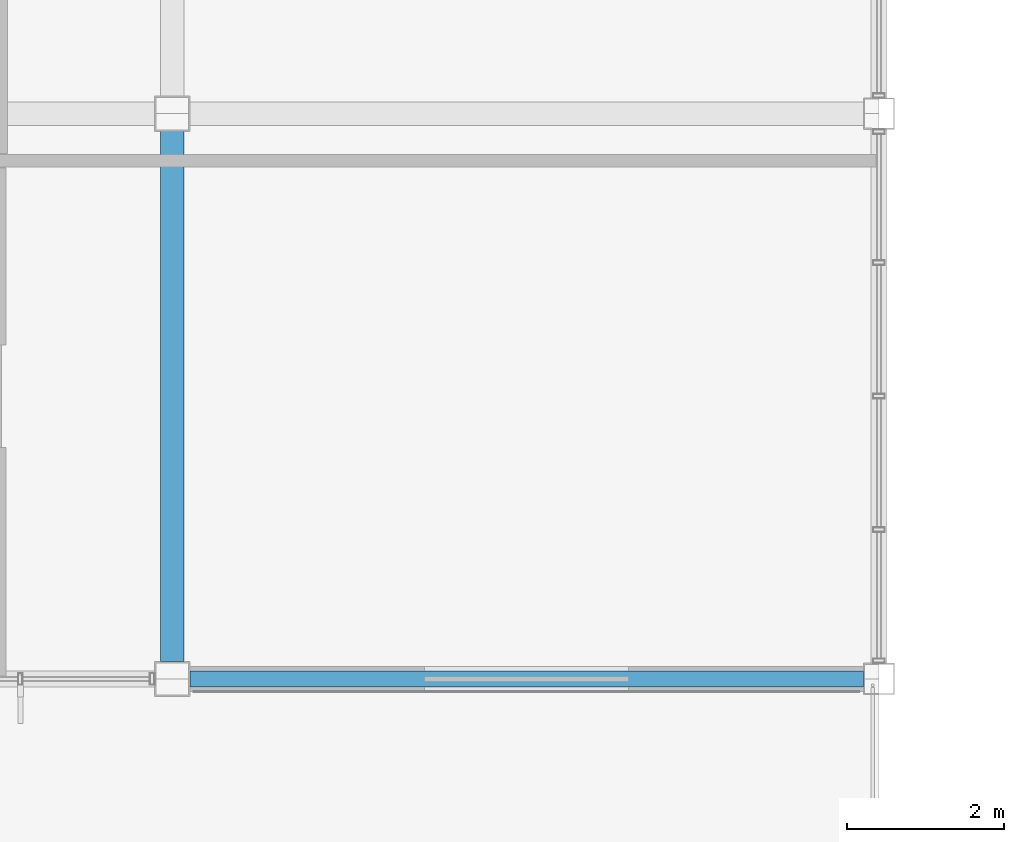
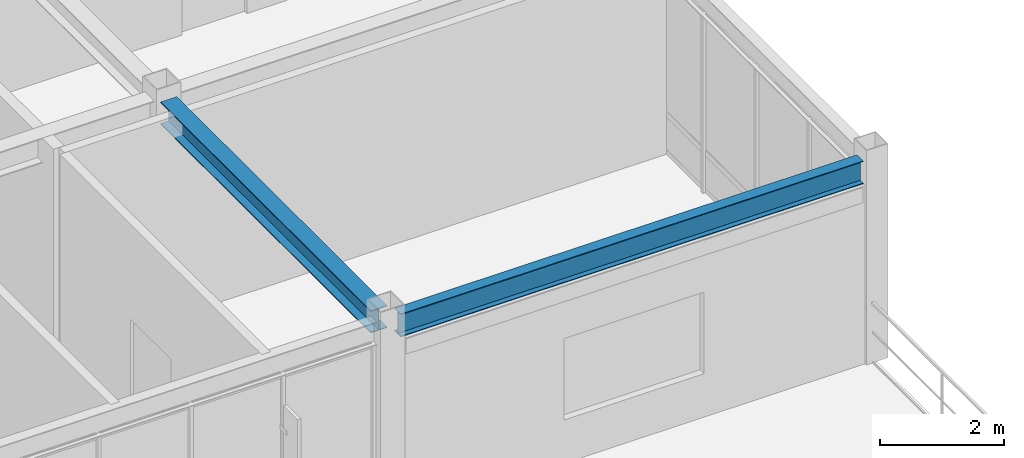
# One storey, part 12 of 106: 2 beams.
"""IFC4 building model written with IfcOpenShell, lengths in metres."""

from ifc_helpers import new_model, si_unit, direction, frame, origin, origin_2d, place, context, subcontext, project, spatial, i_section, extrude, material, material_profile, profile_set, type_object, element, save


model = new_model("IFC4")

# Units and contexts
model_context = context("Model", 3, precision=1e-05, world=origin(), true_north=direction((0.0, 1.0)))
body_context = subcontext(model_context, "Body", "Model", "MODEL_VIEW")
ifc_project = project(units=[si_unit("LENGTHUNIT", "METRE"), si_unit("AREAUNIT", "SQUARE_METRE"), si_unit("VOLUMEUNIT", "CUBIC_METRE"), si_unit("PLANEANGLEUNIT", "RADIAN"), si_unit("MASSUNIT", "GRAM", prefix="KILO")], contexts=[model_context])

# Site, building, storey
site_placement = place(None, origin())
site = spatial("IfcSite", under=ifc_project, at=site_placement, CompositionType="ELEMENT")
building_placement = place(site_placement, origin())
building = spatial("IfcBuilding", under=site, at=building_placement, Name="Kazanami Central Library", CompositionType="ELEMENT")
storey_placement = place(building_placement, frame((0.0, 0.0, 12.800048828125)))
storey = spatial("IfcBuildingStorey", under=building, at=storey_placement, Name="L04", CompositionType="ELEMENT", Elevation=12.800048828125)

# Beams
ifc_material = material(Name="Steel SN490B (325 MPa)", Category="steel")
ifc_material_profile_1 = material_profile(ifc_material, i_section(OverallWidth=0.300048828125, OverallDepth=0.43994140625, WebThickness=0.010986328125, FlangeThickness=0.01806640625, at=origin_2d()), Name="H-440x300x11x18")
ifc_profile_set_1 = profile_set([ifc_material_profile_1], Name="Steel SN490B (325 MPa)")
beam_type_1 = type_object("IfcBeamType", Name="BM-G-Y4", PredefinedType="BEAM", material=ifc_profile_set_1)
beam_1_placement = place(storey_placement, frame((27.0, 65.02294921875, 3.719970703125), z_axis=(0.0, 1.0, 0.0), x_axis=(-1.0, 0.0, 0.0)))
element("IfcBeam", 1, at=beam_1_placement, inside=storey, type_object=beam_type_1, Name="Girder G-Y4 L04 4/K-L", PredefinedType="BEAM", context=body_context, shape_type="SweptSolid", body=[
    extrude(i_section(OverallWidth=0.300048828125, OverallDepth=0.43994140625, WebThickness=0.010986328125, FlangeThickness=0.01806640625, at=origin_2d()), origin(), (0.0, 0.0, 1.0), 6.754150390625),
])
ifc_material_profile_2 = material_profile(ifc_material, i_section(OverallWidth=0.199951171875, OverallDepth=0.449951171875, WebThickness=0.009033203125, FlangeThickness=0.013916015625, at=origin_2d()), Name="H-450x200x9x14")
ifc_profile_set_2 = profile_set([ifc_material_profile_2], Name="Steel SN490B (325 MPa)")
beam_type_2 = type_object("IfcBeamType", Name="BM-SP-2", PredefinedType="SPANDREL", material=ifc_profile_set_2)
beam_2_placement = place(storey_placement, frame((27.222900390625, 64.800048828125, 3.71484375), z_axis=(1.0, 0.0, 0.0), x_axis=(0.0, 1.0, 0.0)))
element("IfcBeam", 2, at=beam_2_placement, inside=storey, type_object=beam_type_2, Name="Girder SP-2 L04 K/4-5", PredefinedType="SPANDREL", context=body_context, shape_type="SweptSolid", body=[
    extrude(i_section(OverallWidth=0.199951171875, OverallDepth=0.449951171875, WebThickness=0.009033203125, FlangeThickness=0.013916015625, at=origin_2d()), origin(), (0.0, 0.0, 1.0), 8.5791015625),
])

save(model, "model.ifc")
